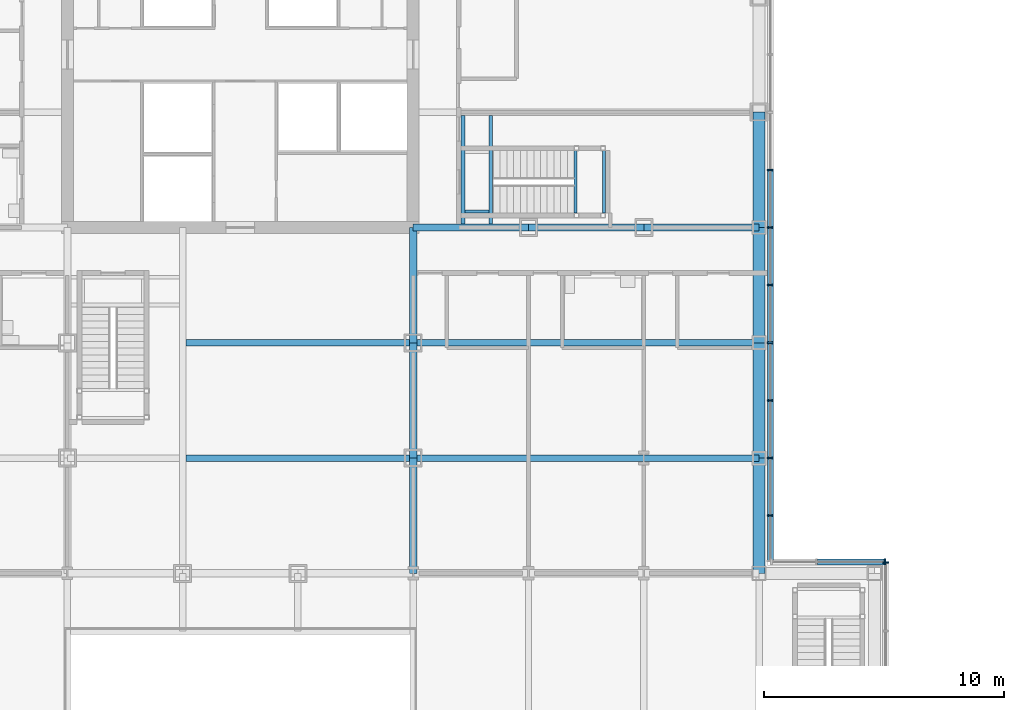
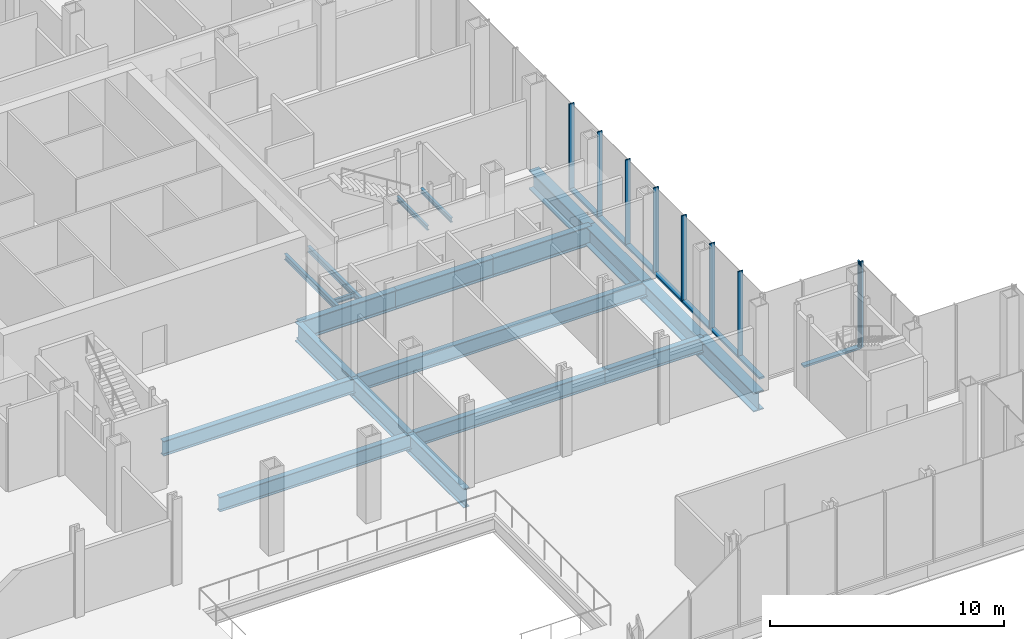
# One storey, part 14 of 25: 20 beams, 17 members, 3 elements without a shape of their own.
"""IFC4 building model written with IfcOpenShell, lengths in metres."""

from ifc_helpers import new_model, si_unit, direction, frame, origin, origin_2d, place, context, subcontext, project, spatial, rectangle, i_section, extrude, material, material_profile, profile_set, type_object, element, aggregate, save


model = new_model("IFC4")

# Units and contexts
model_context = context("Model", 3, precision=1e-05, world=origin(), true_north=direction((0.0, 1.0)))
body_context = subcontext(model_context, "Body", "Model", "MODEL_VIEW")
ifc_project = project(units=[si_unit("LENGTHUNIT", "METRE"), si_unit("AREAUNIT", "SQUARE_METRE"), si_unit("VOLUMEUNIT", "CUBIC_METRE"), si_unit("PLANEANGLEUNIT", "RADIAN"), si_unit("MASSUNIT", "GRAM", prefix="KILO")], contexts=[model_context])

# Site, building, storey
site_placement = place(None, origin())
site = spatial("IfcSite", under=ifc_project, at=site_placement, CompositionType="ELEMENT")
building_placement = place(site_placement, origin())
building = spatial("IfcBuilding", under=site, at=building_placement, Name="Kvirike Care Tower", CompositionType="ELEMENT")
storey_placement = place(building_placement, frame((0.0, 0.0, 13.5)))
storey = spatial("IfcBuildingStorey", under=building, at=storey_placement, Name="L03", CompositionType="ELEMENT", Elevation=13.5)

# Curtain wall, member
ifc_material_1 = material(Name="Anodised aluminium stick system", Category="aluminium")
curtain_wall_type = type_object("IfcCurtainWallType", Name="CW-P PODIUM STICK CURTAIN WALL", PredefinedType="NOTDEFINED", material=ifc_material_1)
curtain_wall_1_placement = place(storey_placement, origin())
curtain_wall_1 = element("IfcCurtainWall", 1, at=curtain_wall_1_placement, inside=storey, type_object=curtain_wall_type, Name="Curtain wall L03 face 6", PredefinedType="NOTDEFINED")
ifc_material_2 = material(Name="Bronze anodised aluminium mullion", Category="aluminium")
ifc_material_profile_1 = material_profile(ifc_material_2, rectangle(XDim=0.06494140625, YDim=0.25, at=origin_2d()), Name="CW-P MULLION 65x250")
ifc_profile_set_1 = profile_set([ifc_material_profile_1], Name="Bronze anodised aluminium mullion")
member_type_1 = type_object("IfcMemberType", Name="CW-P MULLION 65x250", PredefinedType="MULLION", material=ifc_profile_set_1)
member_1_placement = place(storey_placement, frame((48.47509765625, 14.842529296875, 0.0), z_axis=(0.0, 0.0, 1.0), x_axis=(0.0, 1.0, 0.0)))
member_1 = element("IfcMember", 2, at=member_1_placement, type_object=member_type_1, Name="CW-P mullion L03 face 6.3", PredefinedType="MULLION", context=body_context, shape_type="SweptSolid", body=[
    extrude(rectangle(XDim=0.06494140625, YDim=0.25, at=origin_2d()), origin(), (0.0, 0.0, 1.0), 4.5),
])
aggregate(curtain_wall_1, [member_1])

curtain_wall_2_placement = place(storey_placement, origin())
curtain_wall_2 = element("IfcCurtainWall", 3, at=curtain_wall_2_placement, inside=storey, type_object=curtain_wall_type, Name="Curtain wall L03 face 7", PredefinedType="NOTDEFINED")
member_2_placement = place(storey_placement, frame((48.4423828125, 14.875, 0.0), z_axis=(0.0, 0.0, 1.0), x_axis=(-1.0, 0.0, 0.0)))
member_2 = element("IfcMember", 4, at=member_2_placement, type_object=member_type_1, Name="CW-P mullion L03 face 7.1", PredefinedType="MULLION", context=body_context, shape_type="SweptSolid", body=[
    extrude(rectangle(XDim=0.06494140625, YDim=0.25, at=origin_2d()), origin(), (0.0, 0.0, 1.0), 4.5),
])

# Curtain wall, members
curtain_wall_3_placement = place(storey_placement, origin())
curtain_wall_3 = element("IfcCurtainWall", 5, at=curtain_wall_3_placement, inside=storey, type_object=curtain_wall_type, Name="Curtain wall L03 face 8", PredefinedType="NOTDEFINED")
member_3_placement = place(storey_placement, frame((43.675048828125, 16.800048828125, 0.0), z_axis=(0.0, 0.0, 1.0), x_axis=(0.0, 1.0, 0.0)))
member_3 = element("IfcMember", 6, at=member_3_placement, type_object=member_type_1, Name="CW-P mullion L03 face 8.2", PredefinedType="MULLION", context=body_context, shape_type="SweptSolid", body=[
    extrude(rectangle(XDim=0.06494140625, YDim=0.25, at=origin_2d()), origin(), (0.0, 0.0, 1.0), 4.5),
])
member_4_placement = place(storey_placement, frame((43.675048828125, 19.199951171875, 0.0), z_axis=(0.0, 0.0, 1.0), x_axis=(0.0, 1.0, 0.0)))
member_4 = element("IfcMember", 7, at=member_4_placement, type_object=member_type_1, Name="CW-P mullion L03 face 8.3", PredefinedType="MULLION", context=body_context, shape_type="SweptSolid", body=[
    extrude(rectangle(XDim=0.06494140625, YDim=0.25, at=origin_2d()), origin(), (0.0, 0.0, 1.0), 4.5),
])
member_5_placement = place(storey_placement, frame((43.675048828125, 21.60009765625, 0.0), z_axis=(0.0, 0.0, 1.0), x_axis=(0.0, 1.0, 0.0)))
member_5 = element("IfcMember", 8, at=member_5_placement, type_object=member_type_1, Name="CW-P mullion L03 face 8.4", PredefinedType="MULLION", context=body_context, shape_type="SweptSolid", body=[
    extrude(rectangle(XDim=0.06494140625, YDim=0.25, at=origin_2d()), origin(), (0.0, 0.0, 1.0), 4.5),
])
member_6_placement = place(storey_placement, frame((43.675048828125, 24.0, 0.0), z_axis=(0.0, 0.0, 1.0), x_axis=(0.0, 1.0, 0.0)))
member_6 = element("IfcMember", 9, at=member_6_placement, type_object=member_type_1, Name="CW-P mullion L03 face 8.5", PredefinedType="MULLION", context=body_context, shape_type="SweptSolid", body=[
    extrude(rectangle(XDim=0.06494140625, YDim=0.25, at=origin_2d()), origin(), (0.0, 0.0, 1.0), 4.5),
])
member_7_placement = place(storey_placement, frame((43.675048828125, 26.39990234375, 0.0), z_axis=(0.0, 0.0, 1.0), x_axis=(0.0, 1.0, 0.0)))
member_7 = element("IfcMember", 10, at=member_7_placement, type_object=member_type_1, Name="CW-P mullion L03 face 8.6", PredefinedType="MULLION", context=body_context, shape_type="SweptSolid", body=[
    extrude(rectangle(XDim=0.06494140625, YDim=0.25, at=origin_2d()), origin(), (0.0, 0.0, 1.0), 4.5),
])
member_8_placement = place(storey_placement, frame((43.675048828125, 28.800048828125, 0.0), z_axis=(0.0, 0.0, 1.0), x_axis=(0.0, 1.0, 0.0)))
member_8 = element("IfcMember", 11, at=member_8_placement, type_object=member_type_1, Name="CW-P mullion L03 face 8.7", PredefinedType="MULLION", context=body_context, shape_type="SweptSolid", body=[
    extrude(rectangle(XDim=0.06494140625, YDim=0.25, at=origin_2d()), origin(), (0.0, 0.0, 1.0), 4.5),
])
member_9_placement = place(storey_placement, frame((43.675048828125, 31.199951171875, 0.0), z_axis=(0.0, 0.0, 1.0), x_axis=(0.0, 1.0, 0.0)))
member_9 = element("IfcMember", 12, at=member_9_placement, type_object=member_type_1, Name="CW-P mullion L03 face 8.8", PredefinedType="MULLION", context=body_context, shape_type="SweptSolid", body=[
    extrude(rectangle(XDim=0.06494140625, YDim=0.25, at=origin_2d()), origin(), (0.0, 0.0, 1.0), 4.5),
])

# Member
ifc_material_3 = material(Name="Bronze anodised aluminium transom", Category="aluminium")
ifc_material_profile_2 = material_profile(ifc_material_3, rectangle(XDim=0.25, YDim=0.10009765625, at=origin_2d()), Name="CW-P TRANSOM 250x100")
ifc_profile_set_2 = profile_set([ifc_material_profile_2], Name="Bronze anodised aluminium transom")
member_type_2 = type_object("IfcMemberType", Name="CW-P TRANSOM 250x100", PredefinedType="USERDEFINED", material=ifc_profile_set_2)
member_10_placement = place(storey_placement, frame((48.409912109375, 14.875, 0.050048828125), z_axis=(-1.0, 0.0, 0.0), x_axis=(0.0, -1.0, 0.0)))
member_10 = element("IfcMember", 13, at=member_10_placement, type_object=member_type_2, Name="CW-P sill transom L03 face 7.1", ObjectType="TRANSOM", PredefinedType="USERDEFINED", context=body_context, shape_type="SweptSolid", body=[
    extrude(rectangle(XDim=0.25, YDim=0.10009765625, at=origin_2d()), origin(), (0.0, 0.0, 1.0), 2.77734375),
])

aggregate(curtain_wall_2, [member_2, member_10])

member_11_placement = place(storey_placement, frame((43.675048828125, 14.93994140625, 0.050048828125), z_axis=(0.0, 1.0, 0.0), x_axis=(-1.0, 0.0, 0.0)))
member_11 = element("IfcMember", 14, at=member_11_placement, type_object=member_type_2, Name="CW-P sill transom L03 face 8.1", ObjectType="TRANSOM", PredefinedType="USERDEFINED", context=body_context, shape_type="SweptSolid", body=[
    extrude(rectangle(XDim=0.25, YDim=0.10009765625, at=origin_2d()), origin(), (0.0, 0.0, 1.0), 1.82763671875),
])

member_12_placement = place(storey_placement, frame((43.675048828125, 16.83251953125, 0.050048828125), z_axis=(0.0, 1.0, 0.0), x_axis=(-1.0, 0.0, 0.0)))
member_12 = element("IfcMember", 15, at=member_12_placement, type_object=member_type_2, Name="CW-P sill transom L03 face 8.2", ObjectType="TRANSOM", PredefinedType="USERDEFINED", context=body_context, shape_type="SweptSolid", body=[
    extrude(rectangle(XDim=0.25, YDim=0.10009765625, at=origin_2d()), origin(), (0.0, 0.0, 1.0), 2.3349609375),
])

member_13_placement = place(storey_placement, frame((43.675048828125, 19.232421875, 0.050048828125), z_axis=(0.0, 1.0, 0.0), x_axis=(-1.0, 0.0, 0.0)))
member_13 = element("IfcMember", 16, at=member_13_placement, type_object=member_type_2, Name="CW-P sill transom L03 face 8.3", ObjectType="TRANSOM", PredefinedType="USERDEFINED", context=body_context, shape_type="SweptSolid", body=[
    extrude(rectangle(XDim=0.25, YDim=0.10009765625, at=origin_2d()), origin(), (0.0, 0.0, 1.0), 2.3349609375),
])

member_14_placement = place(storey_placement, frame((43.675048828125, 21.632568359375, 0.050048828125), z_axis=(0.0, 1.0, 0.0), x_axis=(-1.0, 0.0, 0.0)))
member_14 = element("IfcMember", 17, at=member_14_placement, type_object=member_type_2, Name="CW-P sill transom L03 face 8.4", ObjectType="TRANSOM", PredefinedType="USERDEFINED", context=body_context, shape_type="SweptSolid", body=[
    extrude(rectangle(XDim=0.25, YDim=0.10009765625, at=origin_2d()), origin(), (0.0, 0.0, 1.0), 2.3349609375),
])

member_15_placement = place(storey_placement, frame((43.675048828125, 24.032470703125, 0.050048828125), z_axis=(0.0, 1.0, 0.0), x_axis=(-1.0, 0.0, 0.0)))
member_15 = element("IfcMember", 18, at=member_15_placement, type_object=member_type_2, Name="CW-P sill transom L03 face 8.5", ObjectType="TRANSOM", PredefinedType="USERDEFINED", context=body_context, shape_type="SweptSolid", body=[
    extrude(rectangle(XDim=0.25, YDim=0.10009765625, at=origin_2d()), origin(), (0.0, 0.0, 1.0), 2.3349609375),
])

member_16_placement = place(storey_placement, frame((43.675048828125, 26.4326171875, 0.050048828125), z_axis=(0.0, 1.0, 0.0), x_axis=(-1.0, 0.0, 0.0)))
member_16 = element("IfcMember", 19, at=member_16_placement, type_object=member_type_2, Name="CW-P sill transom L03 face 8.6", ObjectType="TRANSOM", PredefinedType="USERDEFINED", context=body_context, shape_type="SweptSolid", body=[
    extrude(rectangle(XDim=0.25, YDim=0.10009765625, at=origin_2d()), origin(), (0.0, 0.0, 1.0), 2.3349609375),
])

member_17_placement = place(storey_placement, frame((43.675048828125, 28.83251953125, 0.050048828125), z_axis=(0.0, 1.0, 0.0), x_axis=(-1.0, 0.0, 0.0)))
member_17 = element("IfcMember", 20, at=member_17_placement, type_object=member_type_2, Name="CW-P sill transom L03 face 8.7", ObjectType="TRANSOM", PredefinedType="USERDEFINED", context=body_context, shape_type="SweptSolid", body=[
    extrude(rectangle(XDim=0.25, YDim=0.10009765625, at=origin_2d()), origin(), (0.0, 0.0, 1.0), 2.3349609375),
])

aggregate(curtain_wall_3, [member_3, member_4, member_5, member_6, member_7, member_8, member_9, member_11, member_12, member_13, member_14, member_15, member_16, member_17])

# Beams
ifc_material_4 = material(Name="Steel S355", Category="steel")
ifc_material_profile_3 = material_profile(ifc_material_4, i_section(OverallWidth=0.26806640625, OverallDepth=0.77001953125, WebThickness=0.015625, FlangeThickness=0.025390625, FilletRadius=0.01708984375, at=origin_2d()), Name="IPE 750x196")
ifc_profile_set_3 = profile_set([ifc_material_profile_3], Name="Steel S355")
beam_type_1 = type_object("IfcBeamType", Name="FLOOR BEAM IPE 750x196", PredefinedType="BEAM", material=ifc_profile_set_3)
beam_1_placement = place(storey_placement, frame((19.333984375, 19.199951171875, -0.554931640625), z_axis=(1.0, 0.0, 0.0), x_axis=(0.0, 1.0, 0.0)))
element("IfcBeam", 21, at=beam_1_placement, inside=storey, type_object=beam_type_1, Name="Floor Beam E7-E9 L03", PredefinedType="BEAM", context=body_context, shape_type="SweptSolid", body=[
    extrude(i_section(OverallWidth=0.26806640625, OverallDepth=0.77001953125, WebThickness=0.015625, FlangeThickness=0.025390625, FilletRadius=0.01708984375, at=origin_2d()), origin(), (0.0, 0.0, 1.0), 9.466064453125),
])
beam_2_placement = place(storey_placement, frame((28.800048828125, 19.199951171875, -0.554931640625), z_axis=(1.0, 0.0, 0.0), x_axis=(0.0, 1.0, 0.0)))
element("IfcBeam", 22, at=beam_2_placement, inside=storey, type_object=beam_type_1, Name="Floor Beam E9-E11 L03", PredefinedType="BEAM", context=body_context, shape_type="SweptSolid", body=[
    extrude(i_section(OverallWidth=0.26806640625, OverallDepth=0.77001953125, WebThickness=0.015625, FlangeThickness=0.025390625, FilletRadius=0.01708984375, at=origin_2d()), origin(), (0.0, 0.0, 1.0), 9.599853515625),
])
beam_3_placement = place(storey_placement, frame((38.39990234375, 19.199951171875, -0.554931640625), z_axis=(1.0, 0.0, 0.0), x_axis=(0.0, 1.0, 0.0)))
element("IfcBeam", 23, at=beam_3_placement, inside=storey, type_object=beam_type_1, Name="Floor Beam E11-E12 L03", PredefinedType="BEAM", context=body_context, shape_type="SweptSolid", body=[
    extrude(i_section(OverallWidth=0.26806640625, OverallDepth=0.77001953125, WebThickness=0.015625, FlangeThickness=0.025390625, FilletRadius=0.01708984375, at=origin_2d()), origin(), (0.0, 0.0, 1.0), 4.800048828125),
])
beam_4_placement = place(storey_placement, frame((19.333984375, 24.0, -0.554931640625), z_axis=(1.0, 0.0, 0.0), x_axis=(0.0, 1.0, 0.0)))
element("IfcBeam", 24, at=beam_4_placement, inside=storey, type_object=beam_type_1, Name="Floor Beam F7-F9 L03", PredefinedType="BEAM", context=body_context, shape_type="SweptSolid", body=[
    extrude(i_section(OverallWidth=0.26806640625, OverallDepth=0.77001953125, WebThickness=0.015625, FlangeThickness=0.025390625, FilletRadius=0.01708984375, at=origin_2d()), origin(), (0.0, 0.0, 1.0), 9.466064453125),
])
beam_5_placement = place(storey_placement, frame((28.800048828125, 24.0, -0.554931640625), z_axis=(1.0, 0.0, 0.0), x_axis=(0.0, 1.0, 0.0)))
element("IfcBeam", 25, at=beam_5_placement, inside=storey, type_object=beam_type_1, Name="Floor Beam F9-F12 L03", PredefinedType="BEAM", context=body_context, shape_type="SweptSolid", body=[
    extrude(i_section(OverallWidth=0.26806640625, OverallDepth=0.77001953125, WebThickness=0.015625, FlangeThickness=0.025390625, FilletRadius=0.01708984375, at=origin_2d()), origin(), (0.0, 0.0, 1.0), 14.39990234375),
])
ifc_material_5 = material(Name="Steel S355", Category="steel")
ifc_material_profile_4 = material_profile(ifc_material_5, i_section(OverallWidth=0.300048828125, OverallDepth=1.0, WebThickness=0.01904296875, FlangeThickness=0.035888671875, FilletRadius=0.030029296875, at=origin_2d()), Name="HE 1000 B")
ifc_profile_set_4 = profile_set([ifc_material_profile_4], Name="Steel S355")
beam_type_2 = type_object("IfcBeamType", Name="FRAME BEAM HE 1000 B", PredefinedType="BEAM", material=ifc_profile_set_4)
beam_6_placement = place(storey_placement, frame((28.800048828125, 28.800048828125, -0.669921875), z_axis=(1.0, 0.0, 0.0), x_axis=(0.0, 1.0, 0.0)))
element("IfcBeam", 26, at=beam_6_placement, inside=storey, type_object=beam_type_2, Name="Frame Beam G9-G10 L03", PredefinedType="BEAM", context=body_context, shape_type="SweptSolid", body=[
    extrude(i_section(OverallWidth=0.300048828125, OverallDepth=1.0, WebThickness=0.01904296875, FlangeThickness=0.035888671875, FilletRadius=0.030029296875, at=origin_2d()), origin(), (0.0, 0.0, 1.0), 4.800048828125),
])
beam_7_placement = place(storey_placement, frame((33.60009765625, 28.800048828125, -0.669921875), z_axis=(1.0, 0.0, 0.0), x_axis=(0.0, 1.0, 0.0)))
element("IfcBeam", 27, at=beam_7_placement, inside=storey, type_object=beam_type_2, Name="Frame Beam G10-G11 L03", PredefinedType="BEAM", context=body_context, shape_type="SweptSolid", body=[
    extrude(i_section(OverallWidth=0.300048828125, OverallDepth=1.0, WebThickness=0.01904296875, FlangeThickness=0.035888671875, FilletRadius=0.030029296875, at=origin_2d()), origin(), (0.0, 0.0, 1.0), 4.7998046875),
])
for number, where, z_axis, x_axis, name in (
    (28, (38.39990234375, 28.800048828125, -0.669921875), (1.0, 0.0, 0.0), (0.0, 1.0, 0.0), "Frame Beam G11-G12 L03"),
    (29, (28.800048828125, 14.39990234375, -0.669921875), (0.0, 1.0, 0.0), (-1.0, 0.0, 0.0), "Frame Beam D9-E9 L03"),
    (30, (28.800048828125, 19.199951171875, -0.669921875), (0.0, 1.0, 0.0), (-1.0, 0.0, 0.0), "Frame Beam E9-F9 L03"),
    (31, (28.800048828125, 24.0, -0.669921875), (0.0, 1.0, 0.0), (-1.0, 0.0, 0.0), "Frame Beam F9-G9 L03"),
):
    element("IfcBeam", number, at=place(storey_placement, frame(where, z_axis=z_axis, x_axis=x_axis)), inside=storey, type_object=beam_type_2, Name=name, PredefinedType="BEAM", context=body_context, shape_type="SweptSolid", body=[
        extrude(i_section(OverallWidth=0.300048828125, OverallDepth=1.0, WebThickness=0.01904296875, FlangeThickness=0.035888671875, FilletRadius=0.030029296875, at=origin_2d()), origin(), (0.0, 0.0, 1.0), 4.800048828125),
    ])
ifc_material_6 = material(Name="Steel S355", Category="steel")
ifc_material_profile_5 = material_profile(ifc_material_6, i_section(OverallWidth=0.5, OverallDepth=1.0, WebThickness=0.030029296875, FlangeThickness=0.06005859375, at=origin_2d()), Name="PG 1000x500x30x60")
ifc_profile_set_5 = profile_set([ifc_material_profile_5], Name="Steel S355")
beam_type_3 = type_object("IfcBeamType", Name="SPANDREL PG 1000x500x30x60", PredefinedType="SPANDREL", material=ifc_profile_set_5)
for number, where, z_axis, x_axis, name in (
    (32, (43.199951171875, 14.39990234375, -0.669921875), (0.0, 1.0, 0.0), (-1.0, 0.0, 0.0), "Spandrel D12-E12 L03"),
    (33, (43.199951171875, 19.199951171875, -0.669921875), (0.0, 1.0, 0.0), (-1.0, 0.0, 0.0), "Spandrel E12-F12 L03"),
    (34, (43.199951171875, 24.0, -0.669921875), (0.0, 1.0, 0.0), (-1.0, 0.0, 0.0), "Spandrel F12-G12 L03"),
    (35, (43.199951171875, 28.800048828125, -0.669921875), (0.0, 1.0, 0.0), (-1.0, 0.0, 0.0), "Spandrel G12-H12 L03"),
):
    element("IfcBeam", number, at=place(storey_placement, frame(where, z_axis=z_axis, x_axis=x_axis)), inside=storey, type_object=beam_type_3, Name=name, PredefinedType="SPANDREL", context=body_context, shape_type="SweptSolid", body=[
        extrude(i_section(OverallWidth=0.5, OverallDepth=1.0, WebThickness=0.030029296875, FlangeThickness=0.06005859375, at=origin_2d()), origin(), (0.0, 0.0, 1.0), 4.800048828125),
    ])
ifc_material_7 = material(Name="Steel S355", Category="steel")
ifc_material_profile_6 = material_profile(ifc_material_7, i_section(OverallWidth=0.1201171875, OverallDepth=0.239990234375, WebThickness=0.006103515625, FlangeThickness=0.009765625, FilletRadius=0.014892578125, at=origin_2d()), Name="IPE 240")
ifc_profile_set_6 = profile_set([ifc_material_profile_6], Name="Steel S355")
beam_type_4 = type_object("IfcBeamType", Name="STAIR LANDING BEAM IPE 240", PredefinedType="BEAM", material=ifc_profile_set_6)
for number, where, z_axis, x_axis, name in (
    (36, (36.739990234375, 29.39990234375, 1.929931640625), (0.0, 1.0, 0.0), (-1.0, 0.0, 0.0), "Stair 2 landing beam back L03"),
    (37, (35.56005859375, 29.39990234375, 1.929931640625), (0.0, 1.0, 0.0), (-1.0, 0.0, 0.0), "Stair 2 landing beam front L03"),
):
    element("IfcBeam", number, at=place(storey_placement, frame(where, z_axis=z_axis, x_axis=x_axis)), inside=storey, type_object=beam_type_4, Name=name, PredefinedType="BEAM", context=body_context, shape_type="SweptSolid", body=[
        extrude(i_section(OverallWidth=0.1201171875, OverallDepth=0.239990234375, WebThickness=0.006103515625, FlangeThickness=0.009765625, FilletRadius=0.014892578125, at=origin_2d()), origin(), (0.0, 0.0, 1.0), 2.60009765625),
    ])
beam_8_placement = place(storey_placement, frame((31.949951171875, 29.4599609375, -0.320068359375), z_axis=(-1.0, 0.0, 0.0), x_axis=(0.0, -1.0, 0.0)))
element("IfcBeam", 38, at=beam_8_placement, inside=storey, type_object=beam_type_4, Name="Stair 2 landing edge beam 1 L03", PredefinedType="BEAM", context=body_context, shape_type="SweptSolid", body=[
    extrude(i_section(OverallWidth=0.1201171875, OverallDepth=0.239990234375, WebThickness=0.006103515625, FlangeThickness=0.009765625, FilletRadius=0.014892578125, at=origin_2d()), origin(), (0.0, 0.0, 1.0), 1.0),
])
ifc_material_8 = material(Name="Steel S355", Category="steel")
ifc_material_profile_7 = material_profile(ifc_material_8, i_section(OverallWidth=0.14990234375, OverallDepth=0.300048828125, WebThickness=0.007080078125, FlangeThickness=0.0107421875, FilletRadius=0.014892578125, at=origin_2d()), Name="IPE 300")
ifc_profile_set_7 = profile_set([ifc_material_profile_7], Name="Steel S355")
beam_type_5 = type_object("IfcBeamType", Name="STAIR TRIMMER IPE 300", PredefinedType="BEAM", material=ifc_profile_set_7)
for number, where, z_axis, x_axis, name in (
    (39, (32.02490234375, 28.949951171875, -0.35009765625), (0.0, 1.0, 0.0), (-1.0, 0.0, 0.0), "Stair 2 trimmer 1 L03"),
    (40, (30.875, 28.949951171875, -0.35009765625), (0.0, 1.0, 0.0), (-1.0, 0.0, 0.0), "Stair 2 trimmer 2 L03"),
):
    element("IfcBeam", number, at=place(storey_placement, frame(where, z_axis=z_axis, x_axis=x_axis)), inside=storey, type_object=beam_type_5, Name=name, PredefinedType="BEAM", context=body_context, shape_type="SweptSolid", body=[
        extrude(i_section(OverallWidth=0.14990234375, OverallDepth=0.300048828125, WebThickness=0.007080078125, FlangeThickness=0.0107421875, FilletRadius=0.014892578125, at=origin_2d()), origin(), (0.0, 0.0, 1.0), 4.51611328125),
    ])

save(model, "model.ifc")
